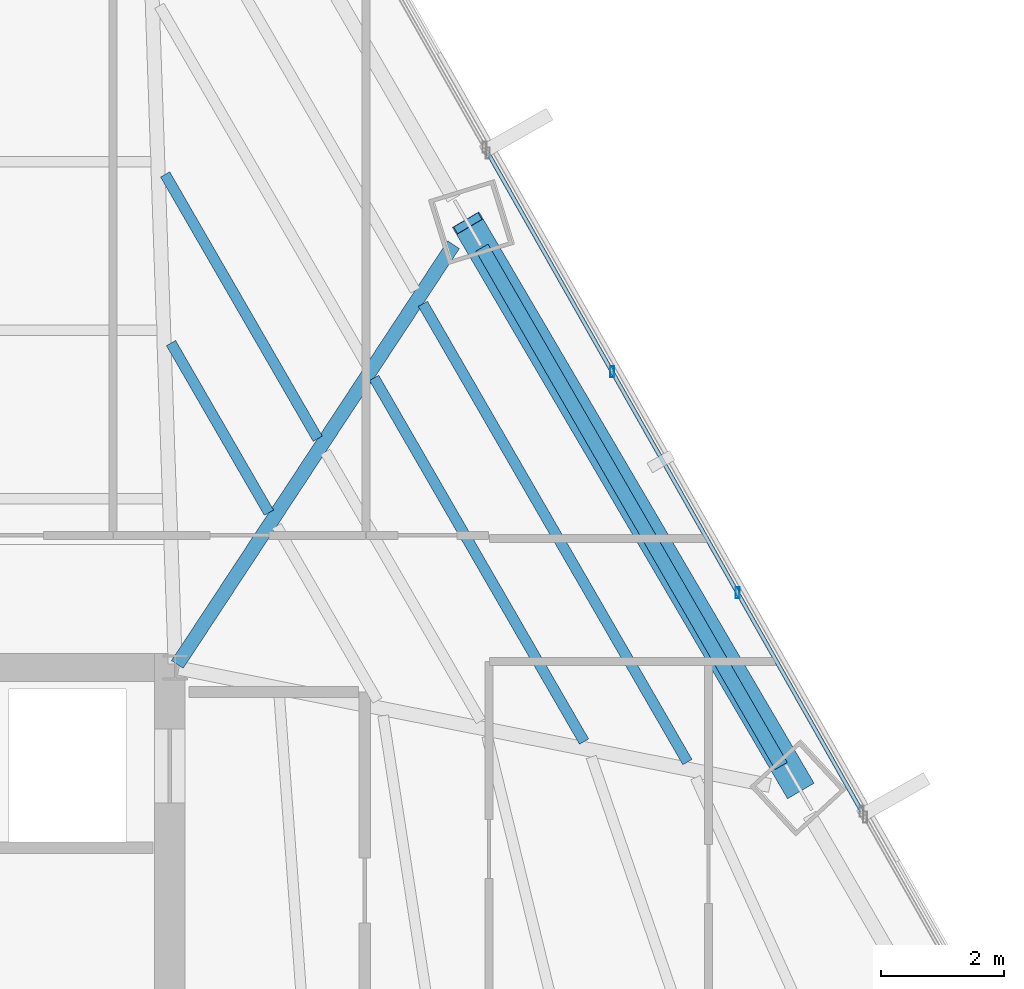
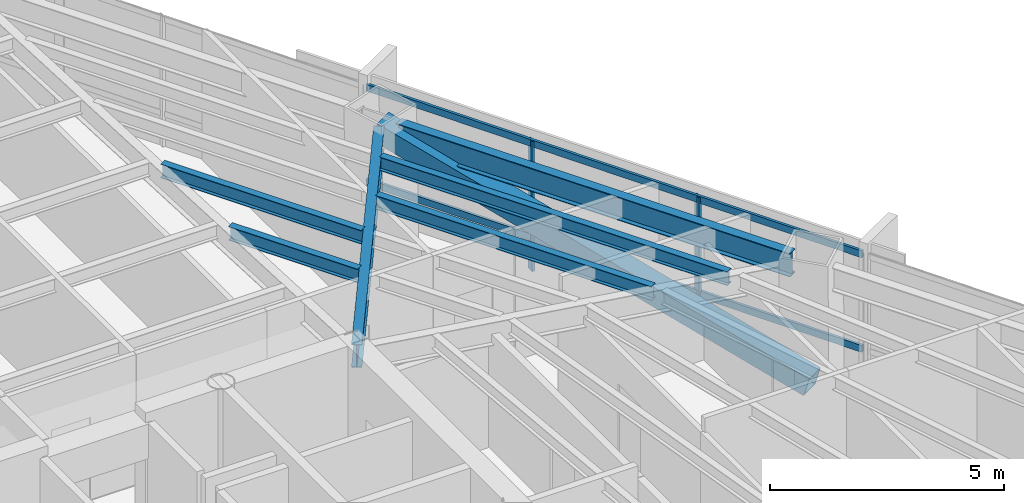
# One storey, part 21 of 35: 6 beams, 5 members, 1 element without a shape of its own.
"""IFC4 building model written with IfcOpenShell, lengths in metres."""

from ifc_helpers import new_model, si_unit, direction, frame, origin, origin_2d, place, context, subcontext, project, spatial, hollow_rectangle, i_section, extrude, source, transform, mapped, material, material_profile, profile_set, type_object, type_shapes, element, aggregate, save


model = new_model("IFC4")

# Units and contexts
model_context = context("Model", 3, precision=1e-05, world=origin(), true_north=direction((0.0, 1.0)))
body_context = subcontext(model_context, "Body", "Model", "MODEL_VIEW")
ifc_project = project(units=[si_unit("LENGTHUNIT", "METRE"), si_unit("AREAUNIT", "SQUARE_METRE"), si_unit("VOLUMEUNIT", "CUBIC_METRE"), si_unit("PLANEANGLEUNIT", "RADIAN"), si_unit("MASSUNIT", "GRAM", prefix="KILO")], contexts=[model_context])

# Site, building, storey
site_placement = place(None, origin())
site = spatial("IfcSite", under=ifc_project, at=site_placement, CompositionType="ELEMENT")
building_placement = place(site_placement, origin())
building = spatial("IfcBuilding", under=site, at=building_placement, Name="Caelisora Broadcast Tower", CompositionType="ELEMENT")
storey_placement = place(building_placement, frame((0.0, 0.0, 123.64990234375)))
storey = spatial("IfcBuildingStorey", under=building, at=storey_placement, Name="L32", CompositionType="ELEMENT", Elevation=123.64990234375)

# Beams
ifc_material_1 = material(Name="Steel Grade 350 (AS/NZS 3679.1)", Category="steel")
ifc_material_profile_1 = material_profile(ifc_material_1, i_section(OverallWidth=0.22900390625, OverallDepth=0.611572265625, WebThickness=0.011962890625, FlangeThickness=0.01953125, at=origin_2d()), Name="Steel Grade 350 (AS/NZS 3679.1)")
ifc_profile_set_1 = profile_set([ifc_material_profile_1], Name="Steel Grade 350 (AS/NZS 3679.1)")
beam_type_1 = type_object("IfcBeamType", Name="PG03", PredefinedType="BEAM", material=ifc_profile_set_1)
shared_shape_1 = source(origin(), body_context, "Body", "SweptSolid", [
    extrude(i_section(OverallWidth=0.22900390625, OverallDepth=0.611572265625, WebThickness=0.011962890625, FlangeThickness=0.01953125, at=origin_2d()), origin(), (0.0, 0.0, 1.0), 9.72998046875),
])
type_shapes(beam_type_1, [shared_shape_1])
beam_1_placement = place(storey_placement, frame((55.35009765625, 28.3994140625, 3.09423828125), z_axis=(-0.50002508151, 0.866010922483, 0.0), x_axis=(-0.866010922483, -0.50002508151, 0.0)))
element("IfcBeam", 1, at=beam_1_placement, inside=storey, type_object=beam_type_1, Name="L32 beam PG03", PredefinedType="BEAM", context=body_context, shape_type="MappedRepresentation", body=[
    mapped(shared_shape_1, transform((0.0, 0.0, 0.0), scale=1.0)),
])
ifc_material_profile_2 = material_profile(ifc_material_1, i_section(OverallWidth=0.22802734375, OverallDepth=0.602294921875, WebThickness=0.010498046875, FlangeThickness=0.014892578125, at=origin_2d()), Name="Steel Grade 350 (AS/NZS 3679.1)")
ifc_profile_set_2 = profile_set([ifc_material_profile_2], Name="Steel Grade 350 (AS/NZS 3679.1)")
beam_type_2 = type_object("IfcBeamType", Name="PG04", PredefinedType="BEAM", material=ifc_profile_set_2)
shared_shape_2 = source(origin(), body_context, "Body", "SweptSolid", [
    extrude(i_section(OverallWidth=0.22802734375, OverallDepth=0.602294921875, WebThickness=0.010498046875, FlangeThickness=0.014892578125, at=origin_2d()), origin(), (0.0, 0.0, 1.0), 8.16845703125),
])
type_shapes(beam_type_2, [shared_shape_2])
beam_2_placement = place(storey_placement, frame((45.532958984375, 30.050048828125, 3.098876953125), z_axis=(0.549786658587, 0.835305111944, 0.0), x_axis=(-0.835305111944, 0.549786658587, 0.0)))
element("IfcBeam", 2, at=beam_2_placement, inside=storey, type_object=beam_type_2, Name="L32 beam PG04", PredefinedType="BEAM", context=body_context, shape_type="MappedRepresentation", body=[
    mapped(shared_shape_2, transform((0.0, 0.0, 0.0), scale=1.0)),
])
ifc_material_profile_3 = material_profile(ifc_material_1, i_section(OverallWidth=0.172119140625, OverallDepth=0.358642578125, WebThickness=0.008056640625, FlangeThickness=0.012939453125, at=origin_2d()), Name="Steel Grade 350 (AS/NZS 3679.1)")
ifc_profile_set_3 = profile_set([ifc_material_profile_3], Name="Steel Grade 350 (AS/NZS 3679.1)")
beam_type_3 = type_object("IfcBeamType", Name="SB02", PredefinedType="JOIST", material=ifc_profile_set_3)
shared_shape_3 = source(origin(), body_context, "Body", "SweptSolid", [
    extrude(i_section(OverallWidth=0.172119140625, OverallDepth=0.358642578125, WebThickness=0.008056640625, FlangeThickness=0.012939453125, at=origin_2d()), origin(), (0.0, 0.0, 1.0), 3.185791015625),
])
beam_3_placement = place(storey_placement, frame((47.022705078125, 32.515869140625, 3.220703125), z_axis=(-0.500020955208, 0.866013304951, 0.0), x_axis=(-0.866013304951, -0.500020955208, 0.0)))
element("IfcBeam", 3, at=beam_3_placement, inside=storey, type_object=beam_type_3, Name="L32 beam SB02", PredefinedType="JOIST", context=body_context, shape_type="MappedRepresentation", body=[
    mapped(shared_shape_3, transform((0.0, 0.0, 0.0), scale=1.0)),
])
shared_shape_4 = source(origin(), body_context, "Body", "SweptSolid", [
    extrude(i_section(OverallWidth=0.172119140625, OverallDepth=0.358642578125, WebThickness=0.008056640625, FlangeThickness=0.012939453125, at=origin_2d()), origin(), (0.0, 0.0, 1.0), 4.960693359375),
])
beam_4_placement = place(storey_placement, frame((47.815185546875, 33.719970703125, 3.220703125), z_axis=(-0.500013557629, 0.866017576142, 0.0), x_axis=(-0.866017576142, -0.500013557629, 0.0)))
element("IfcBeam", 4, at=beam_4_placement, inside=storey, type_object=beam_type_3, Name="L32 beam SB02", PredefinedType="JOIST", context=body_context, shape_type="MappedRepresentation", body=[
    mapped(shared_shape_4, transform((0.0, 0.0, 0.0), scale=1.0)),
])
shared_shape_5 = source(origin(), body_context, "Body", "SweptSolid", [
    extrude(i_section(OverallWidth=0.172119140625, OverallDepth=0.358642578125, WebThickness=0.008056640625, FlangeThickness=0.012939453125, at=origin_2d()), origin(), (0.0, 0.0, 1.0), 6.8271484375),
])
beam_5_placement = place(storey_placement, frame((52.145751953125, 28.7958984375, 3.220703125), z_axis=(-0.500008274977, 0.866020626171, 0.0), x_axis=(-0.866020626171, -0.500008274977, 0.0)))
element("IfcBeam", 5, at=beam_5_placement, inside=storey, type_object=beam_type_3, Name="L32 beam SB02", PredefinedType="JOIST", context=body_context, shape_type="MappedRepresentation", body=[
    mapped(shared_shape_5, transform((0.0, 0.0, 0.0), scale=1.0)),
])
shared_shape_6 = source(origin(), body_context, "Body", "SweptSolid", [
    extrude(i_section(OverallWidth=0.172119140625, OverallDepth=0.358642578125, WebThickness=0.008056640625, FlangeThickness=0.012939453125, at=origin_2d()), origin(), (0.0, 0.0, 1.0), 8.60205078125),
])
type_shapes(beam_type_3, [shared_shape_3, shared_shape_4, shared_shape_5, shared_shape_6])
beam_6_placement = place(storey_placement, frame((53.82568359375, 28.462890625, 3.220703125), z_axis=(-0.500006625127, 0.866021578732, 0.0), x_axis=(-0.866021578732, -0.500006625127, 0.0)))
element("IfcBeam", 6, at=beam_6_placement, inside=storey, type_object=beam_type_3, Name="L32 beam SB02", PredefinedType="JOIST", context=body_context, shape_type="MappedRepresentation", body=[
    mapped(shared_shape_6, transform((0.0, 0.0, 0.0), scale=1.0)),
])

# Member
ifc_material_2 = material(Name="Steel Grade 450 L15 (AS/NZS 3678)", Category="steel")
ifc_material_profile_4 = material_profile(ifc_material_2, hollow_rectangle(XDim=0.5, YDim=0.5, WallThickness=0.02001953125, at=origin_2d()), Name="Steel Grade 450 L15 (AS/NZS 3678)")
ifc_profile_set_4 = profile_set([ifc_material_profile_4], Name="Steel Grade 450 L15 (AS/NZS 3678)")
member_type_1 = type_object("IfcMemberType", Name="BR02", PredefinedType="BRACE", material=ifc_profile_set_4)
shared_shape_7 = source(origin(), body_context, "Body", "SweptSolid", [
    extrude(hollow_rectangle(XDim=0.5, YDim=0.5, WallThickness=0.02001953125, at=origin_2d()), origin(), (0.0, 0.0, 1.0), 11.049072265625),
])
type_shapes(member_type_1, [shared_shape_7])
member_1_placement = place(storey_placement, frame((55.634521484375, 28.05126953125, 0.10009765625), z_axis=(-0.486886564739, 0.830192966208, 0.271516319833), x_axis=(-0.862597443511, -0.505890947189, 0.0)))
element("IfcMember", 7, at=member_1_placement, inside=storey, type_object=member_type_1, Name="L32 perimeter brace BR02", PredefinedType="BRACE", context=body_context, shape_type="MappedRepresentation", body=[
    mapped(shared_shape_7, transform((0.0, 0.0, 0.0), scale=1.0)),
])

# Curtain wall, members
ifc_material_3 = material(Name="Unitised Aluminium Insulated Shadow-Box Spandrel Curtain Wall", Category="aluminium")
curtain_wall_type = type_object("IfcCurtainWallType", Name="CW-SP1", PredefinedType="NOTDEFINED", material=ifc_material_3)
curtain_wall_placement = place(storey_placement, origin())
curtain_wall = element("IfcCurtainWall", 8, at=curtain_wall_placement, inside=storey, type_object=curtain_wall_type, Name="L32 curtain wall CW-SP1", PredefinedType="NOTDEFINED")
ifc_material_4 = material(Name="Aluminium 6063-T6 Anodised Terracotta Bronze", Category="aluminium")
ifc_material_profile_5 = material_profile(ifc_material_4, hollow_rectangle(XDim=0.06494140625, YDim=0.179931640625, WallThickness=0.00341796875, at=origin_2d()), Name="Aluminium 6063-T6 Anodised Terracotta Bronze")
ifc_profile_set_5 = profile_set([ifc_material_profile_5], Name="Aluminium 6063-T6 Anodised Terracotta Bronze")
member_type_2 = type_object("IfcMemberType", Name="CWM-02", PredefinedType="MULLION", material=ifc_profile_set_5)
shared_shape_8 = source(origin(), body_context, "Body", "SweptSolid", [
    extrude(hollow_rectangle(XDim=0.06494140625, YDim=0.179931640625, WallThickness=0.00341796875, at=origin_2d()), origin(), (0.0, 0.0, 1.0), 3.400146484375),
])
type_shapes(member_type_2, [shared_shape_8])
member_2_placement = place(storey_placement, frame((52.60009765625, 34.810791015625, 0.0), z_axis=(0.0, 0.0, 1.0), x_axis=(1.0, 0.0, 0.0)))
member_2 = element("IfcMember", 9, at=member_2_placement, type_object=member_type_2, Name="L32-CW-B02 mullion #1", PredefinedType="MULLION", context=body_context, shape_type="MappedRepresentation", body=[
    mapped(shared_shape_8, transform((0.0, 0.0, 0.0), scale=1.0)),
])
member_3_placement = place(storey_placement, frame((54.641845703125, 31.21435546875, 0.0), z_axis=(0.0, 0.0, 1.0), x_axis=(1.0, 0.0, 0.0)))
member_3 = element("IfcMember", 10, at=member_3_placement, type_object=member_type_2, Name="L32-CW-B02 mullion #2", PredefinedType="MULLION", context=body_context, shape_type="MappedRepresentation", body=[
    mapped(shared_shape_8, transform((0.0, 0.0, 0.0), scale=1.0)),
])
ifc_material_profile_6 = material_profile(ifc_material_4, hollow_rectangle(XDim=0.06494140625, YDim=0.179931640625, WallThickness=0.00341796875, at=origin_2d()), Name="Aluminium 6063-T6 Anodised Terracotta Bronze")
ifc_profile_set_6 = profile_set([ifc_material_profile_6], Name="Aluminium 6063-T6 Anodised Terracotta Bronze")
member_type_3 = type_object("IfcMemberType", Name="CWT-01", PredefinedType="USERDEFINED", material=ifc_profile_set_6)
shared_shape_9 = source(origin(), body_context, "Body", "SweptSolid", [
    extrude(hollow_rectangle(XDim=0.06494140625, YDim=0.179931640625, WallThickness=0.00341796875, at=origin_2d()), origin(), (0.0, 0.0, 1.0), 12.30712890625),
])
type_shapes(member_type_3, [shared_shape_9])
member_4_placement = place(storey_placement, frame((50.5830078125, 38.364013671875, 0.85009765625), z_axis=(0.493671616869, -0.869648397168, 0.0), x_axis=(0.869648397168, 0.493671616869, 0.0)))
member_4 = element("IfcMember", 11, at=member_4_placement, type_object=member_type_3, Name="L32-CW-B02 transom #1", ObjectType="TRANSOM", PredefinedType="USERDEFINED", context=body_context, shape_type="MappedRepresentation", body=[
    mapped(shared_shape_9, transform((0.0, 0.0, 0.0), scale=1.0)),
])
member_5_placement = place(storey_placement, frame((50.5830078125, 38.364013671875, 3.320068359375), z_axis=(0.493671616869, -0.869648397168, 0.0), x_axis=(0.869648397168, 0.493671616869, 0.0)))
member_5 = element("IfcMember", 12, at=member_5_placement, type_object=member_type_3, Name="L32-CW-B02 transom #2", ObjectType="TRANSOM", PredefinedType="USERDEFINED", context=body_context, shape_type="MappedRepresentation", body=[
    mapped(shared_shape_9, transform((0.0, 0.0, 0.0), scale=1.0)),
])
aggregate(curtain_wall, [member_2, member_3, member_4, member_5])

save(model, "model.ifc")
